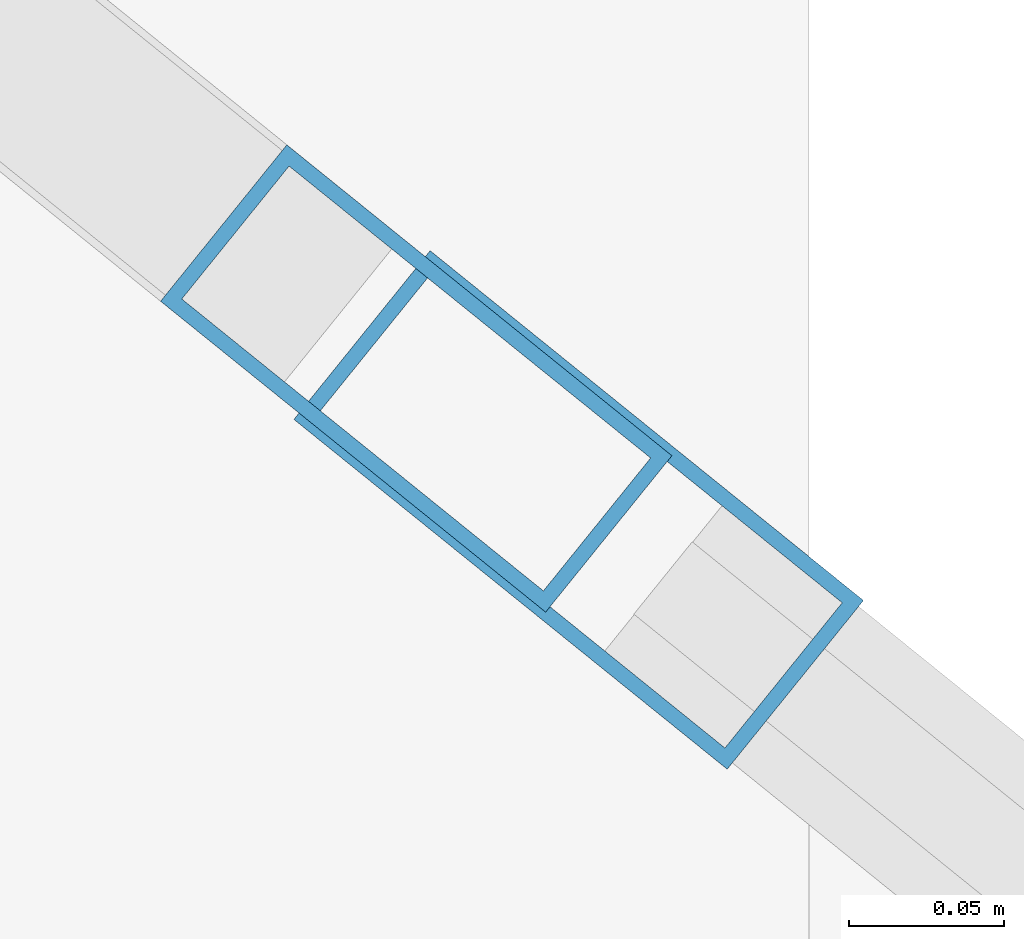
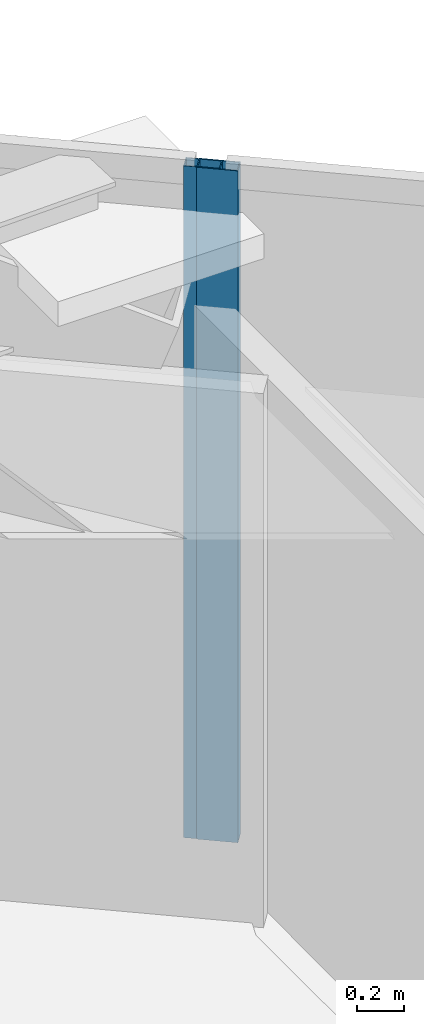
# One storey, part 9 of 23: 2 members, 2 elements without a shape of their own.
"""IFC4 building model written with IfcOpenShell, lengths in metres."""

from ifc_helpers import new_model, si_unit, direction, frame, origin, origin_2d, place, context, subcontext, project, spatial, hollow_rectangle, extrude, material, layer, layer_set, material_profile, profile_set, type_object, element, aggregate, save


model = new_model("IFC4")

# Units and contexts
model_context = context("Model", 3, precision=1e-05, world=origin(), true_north=direction((0.0, 1.0)))
body_context = subcontext(model_context, "Body", "Model", "MODEL_VIEW")
ifc_project = project(units=[si_unit("LENGTHUNIT", "METRE"), si_unit("AREAUNIT", "SQUARE_METRE"), si_unit("VOLUMEUNIT", "CUBIC_METRE"), si_unit("PLANEANGLEUNIT", "RADIAN"), si_unit("MASSUNIT", "GRAM", prefix="KILO")], contexts=[model_context])

# Site, building, storey
site_placement = place(None, origin())
site = spatial("IfcSite", under=ifc_project, at=site_placement, CompositionType="ELEMENT")
building_placement = place(site_placement, origin())
building = spatial("IfcBuilding", under=site, at=building_placement, Name="Qianvela Tower", CompositionType="ELEMENT")
storey_placement = place(building_placement, frame((0.0, 0.0, 82.10009765625)))
storey = spatial("IfcBuildingStorey", under=building, at=storey_placement, Name="L20", CompositionType="ELEMENT", Elevation=82.10009765625)

# Curtain wall, member
ifc_material_1 = material(Name="Anodised Architectural Aluminium and Insulated Spandrel Panel", Category="aluminium")
ifc_layer_1 = layer(ifc_material_1, 0.179931640625)
ifc_layer_set_1 = layer_set([ifc_layer_1], Name="Anodised Architectural Aluminium and Insulated Spandrel Panel")
curtain_wall_type_1 = type_object("IfcCurtainWallType", Name="CW-BRACEBAY", PredefinedType="USERDEFINED", material=ifc_layer_set_1)
curtain_wall_1_placement = place(storey_placement, origin())
curtain_wall_1 = element("IfcCurtainWall", 1, at=curtain_wall_1_placement, inside=storey, type_object=curtain_wall_type_1, Name="L20 CW-BRACEBAY Curtain Wall 02B", ObjectType="CURTAIN_WALL_SYSTEM", PredefinedType="USERDEFINED")
ifc_material_2 = material(Name="Anodised Architectural Aluminium 6063-T6", Category="aluminium")
ifc_material_profile_1 = material_profile(ifc_material_2, hollow_rectangle(XDim=0.06494140625, YDim=0.159912109375, WallThickness=0.0048828125, at=origin_2d()), Name="ALU-MULL-65x160")
ifc_profile_set_1 = profile_set([ifc_material_profile_1], Name="Anodised Architectural Aluminium 6063-T6")
member_type_1 = type_object("IfcMemberType", Name="CW-BRACEBAY-MULL", PredefinedType="MULLION", material=ifc_profile_set_1)
member_1_placement = place(storey_placement, frame((48.404296875, 33.90283203125, 0.0), z_axis=(0.0, 0.0, 1.0), x_axis=(-0.628145820813, -0.778095641805, 0.0)))
member_1 = element("IfcMember", 2, at=member_1_placement, type_object=member_type_1, Name="CW-9 mullion 1", PredefinedType="MULLION", context=body_context, shape_type="SweptSolid", body=[
    extrude(hollow_rectangle(XDim=0.06494140625, YDim=0.159912109375, WallThickness=0.0048828125, at=origin_2d()), origin(), (0.0, 0.0, 1.0), 3.52001953125),
])
aggregate(curtain_wall_1, [member_1])

ifc_material_3 = material(Name="Anodised Architectural Aluminium and Low-E Glass", Category="aluminium")
ifc_layer_2 = layer(ifc_material_3, 0.179931640625)
ifc_layer_set_2 = layer_set([ifc_layer_2], Name="Anodised Architectural Aluminium and Low-E Glass")
curtain_wall_type_2 = type_object("IfcCurtainWallType", Name="CW-COLIV-Z12", PredefinedType="USERDEFINED", material=ifc_layer_set_2)
curtain_wall_2_placement = place(storey_placement, origin())
curtain_wall_2 = element("IfcCurtainWall", 3, at=curtain_wall_2_placement, inside=storey, type_object=curtain_wall_type_2, Name="L20 CW-COLIV-Z12 Curtain Wall 02A", ObjectType="CURTAIN_WALL_SYSTEM", PredefinedType="USERDEFINED")
ifc_material_4 = material(Name="Anodised Architectural Aluminium 6063-T6", Category="aluminium")
ifc_material_profile_2 = material_profile(ifc_material_4, hollow_rectangle(XDim=0.070068359375, YDim=0.179931640625, WallThickness=0.0048828125, at=origin_2d()), Name="ALU-MULL-70x180")
ifc_profile_set_2 = profile_set([ifc_material_profile_2], Name="Anodised Architectural Aluminium 6063-T6")
member_type_2 = type_object("IfcMemberType", Name="CW-COLIV-Z12-MULL", PredefinedType="MULLION", material=ifc_profile_set_2)
member_2_placement = place(storey_placement, frame((48.456787109375, 33.8603515625, 0.0), z_axis=(0.0, 0.0, 1.0), x_axis=(-0.62814152563, -0.778099109227, 0.0)))
member_2 = element("IfcMember", 4, at=member_2_placement, type_object=member_type_2, Name="CW-3 mullion 3", PredefinedType="MULLION", context=body_context, shape_type="SweptSolid", body=[
    extrude(hollow_rectangle(XDim=0.070068359375, YDim=0.179931640625, WallThickness=0.0048828125, at=origin_2d()), origin(), (0.0, 0.0, 1.0), 3.52001953125),
])
aggregate(curtain_wall_2, [member_2])

save(model, "model.ifc")
